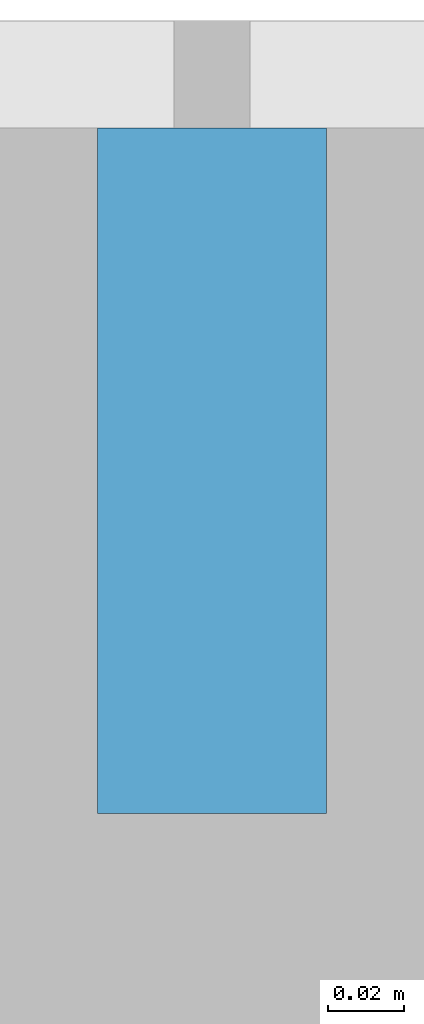
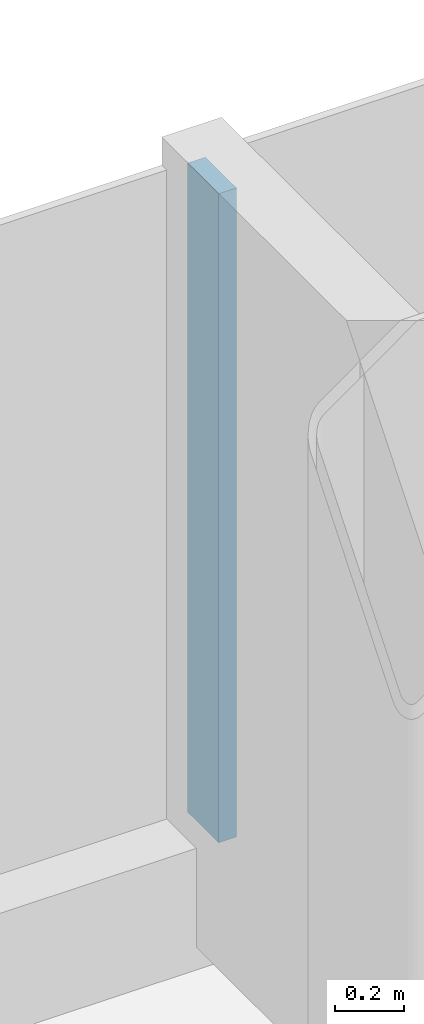
# One storey, part 9 of 26: 1 member, 1 element without a shape of its own.
"""IFC4 building model written with IfcOpenShell, lengths in metres."""

from ifc_helpers import new_model, si_unit, direction, frame, origin, origin_2d, place, context, subcontext, project, spatial, rectangle, extrude, material, layer, layer_set, material_profile, profile_set, type_object, element, aggregate, save


model = new_model("IFC4")

# Units and contexts
model_context = context("Model", 3, precision=1e-05, world=origin(), true_north=direction((0.0, 1.0)))
body_context = subcontext(model_context, "Body", "Model", "MODEL_VIEW")
ifc_project = project(units=[si_unit("LENGTHUNIT", "METRE"), si_unit("AREAUNIT", "SQUARE_METRE"), si_unit("VOLUMEUNIT", "CUBIC_METRE"), si_unit("PLANEANGLEUNIT", "RADIAN"), si_unit("MASSUNIT", "GRAM", prefix="KILO")], contexts=[model_context])

# Site, building, storey
site_placement = place(None, origin())
site = spatial("IfcSite", under=ifc_project, at=site_placement, CompositionType="ELEMENT")
building_placement = place(site_placement, origin())
building = spatial("IfcBuilding", under=site, at=building_placement, Name="Hakoniwa Tower and Hamabe Station Hall", CompositionType="ELEMENT")
storey_placement = place(building_placement, frame((0.0, 0.0, 199.39990234375)))
storey = spatial("IfcBuildingStorey", under=building, at=storey_placement, Name="L56", CompositionType="ELEMENT", Elevation=199.39990234375)

# Curtain wall, member
ifc_material_1 = material(Name="Dark low-e laminated glass", Category="glass")
ifc_layer = layer(ifc_material_1, 0.199951171875)
ifc_layer_set = layer_set([ifc_layer], Name="CW-1 UNITISED GUEST")
curtain_wall_type = type_object("IfcCurtainWallType", Name="CW-1 UNITISED GUEST", PredefinedType="NOTDEFINED", material=ifc_layer_set)
curtain_wall_placement = place(storey_placement, origin())
curtain_wall = element("IfcCurtainWall", 1, at=curtain_wall_placement, inside=storey, type_object=curtain_wall_type, Name="CW-1 curtain wall", PredefinedType="NOTDEFINED")
ifc_material_2 = material(Name="Aluminium 6063-T5 black anodised", Category="aluminium")
ifc_material_profile = material_profile(ifc_material_2, rectangle(XDim=0.06005859375, YDim=0.179931640625, at=origin_2d()), Name="CW-1 MULLION 60X180")
ifc_profile_set = profile_set([ifc_material_profile], Name="Aluminium 6063-T5 black anodised")
member_type = type_object("IfcMemberType", Name="CW-1 MULLION 60X180", PredefinedType="MULLION", material=ifc_profile_set)
member_placement = place(storey_placement, frame((16.800048828125, 20.431884765625, 0.35009765625), z_axis=(0.0, 0.0, 1.0), x_axis=(-1.0, 0.0, 0.0)))
member = element("IfcMember", 2, at=member_placement, type_object=member_type, Name="CW-1 mullion", PredefinedType="MULLION", context=body_context, shape_type="SweptSolid", body=[
    extrude(rectangle(XDim=0.06005859375, YDim=0.179931640625, at=origin_2d()), origin(), (0.0, 0.0, 1.0), 2.300048828125),
])
aggregate(curtain_wall, [member])

save(model, "model.ifc")
